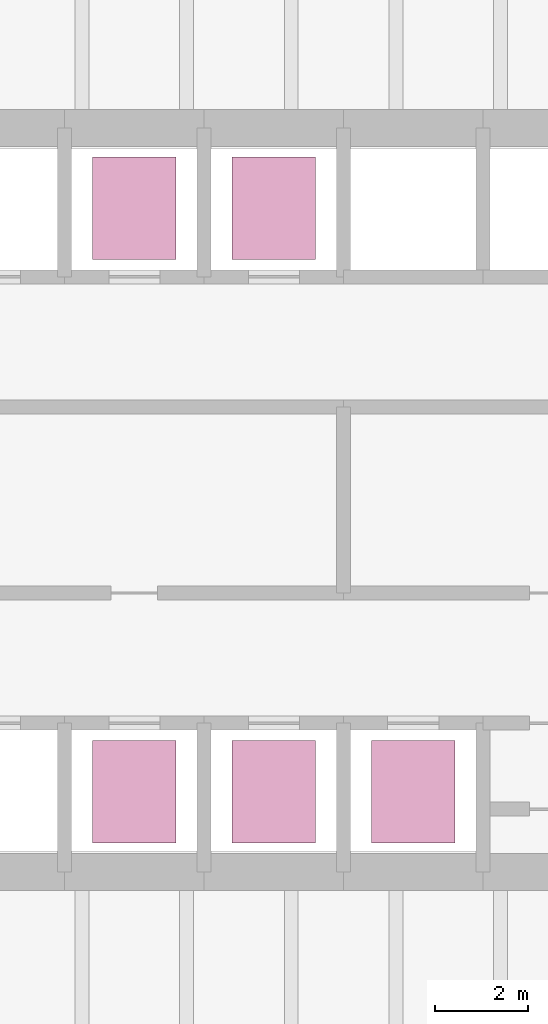
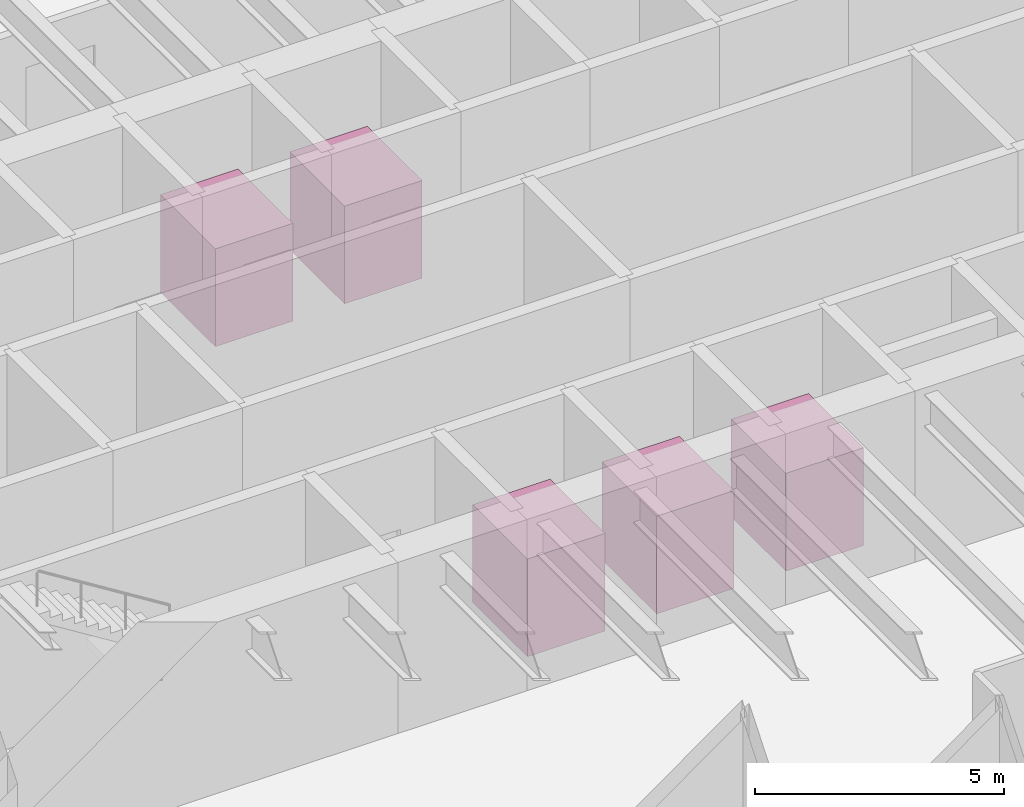
# One storey, part 14 of 14: 5 transport elements.
"""IFC4 building model written with IfcOpenShell, lengths in metres."""

from ifc_helpers import new_model, si_unit, direction, frame, origin, origin_2d, place, context, subcontext, project, spatial, rectangle, extrude, material, type_object, element, save


model = new_model("IFC4")

# Units and contexts
model_context = context("Model", 3, precision=1e-05, world=origin(), true_north=direction((0.0, 1.0)))
body_context = subcontext(model_context, "Body", "Model", "MODEL_VIEW")
ifc_project = project(units=[si_unit("LENGTHUNIT", "METRE"), si_unit("AREAUNIT", "SQUARE_METRE"), si_unit("VOLUMEUNIT", "CUBIC_METRE"), si_unit("PLANEANGLEUNIT", "RADIAN"), si_unit("MASSUNIT", "GRAM", prefix="KILO")], contexts=[model_context])

# Site, building, storey
site_placement = place(None, origin())
site = spatial("IfcSite", under=ifc_project, at=site_placement, CompositionType="ELEMENT")
building_placement = place(site_placement, origin())
building = spatial("IfcBuilding", under=site, at=building_placement, Name="Rheinbord Bourse Tower", CompositionType="ELEMENT")
storey_placement = place(building_placement, frame((0.0, 0.0, 185.800048828125)))
storey = spatial("IfcBuildingStorey", under=building, at=storey_placement, Name="L41", CompositionType="ELEMENT", Elevation=185.800048828125)

# Transport elements
ifc_material = material(Name="Lift car steel and glass", Category="steel")
transport_element_type = type_object("IfcTransportElementType", Name="LIFT CAR", PredefinedType="ELEVATOR", material=ifc_material)
for number, where, z_axis, x_axis, name in (
    (1, (31.5, 17.72509765625, 0.0), (0.0, 0.0, 1.0), (1.0, 0.0, 0.0), "Lift PC1"),
    (2, (34.5, 17.72509765625, 0.0), (0.0, 0.0, 1.0), (1.0, 0.0, 0.0), "Lift PC2"),
    (3, (37.5, 17.72509765625, 0.0), (0.0, 0.0, 1.0), (1.0, 0.0, 0.0), "Lift PC3"),
    (4, (31.5, 30.27490234375, 0.0), (0.0, 0.0, 1.0), (1.0, 0.0, 0.0), "Lift PC4"),
    (5, (34.5, 30.27490234375, 0.0), (0.0, 0.0, 1.0), (1.0, 0.0, 0.0), "Lift PC5"),
):
    element("IfcTransportElement", number, at=place(storey_placement, frame(where, z_axis=z_axis, x_axis=x_axis)), inside=storey, type_object=transport_element_type, Name=name, PredefinedType="ELEVATOR", context=body_context, shape_type="SweptSolid", body=[
        extrude(rectangle(XDim=1.800048828125, YDim=2.199951171875, at=origin_2d()), origin(), (0.0, 0.0, 1.0), 2.39990234375),
    ])

save(model, "model.ifc")
